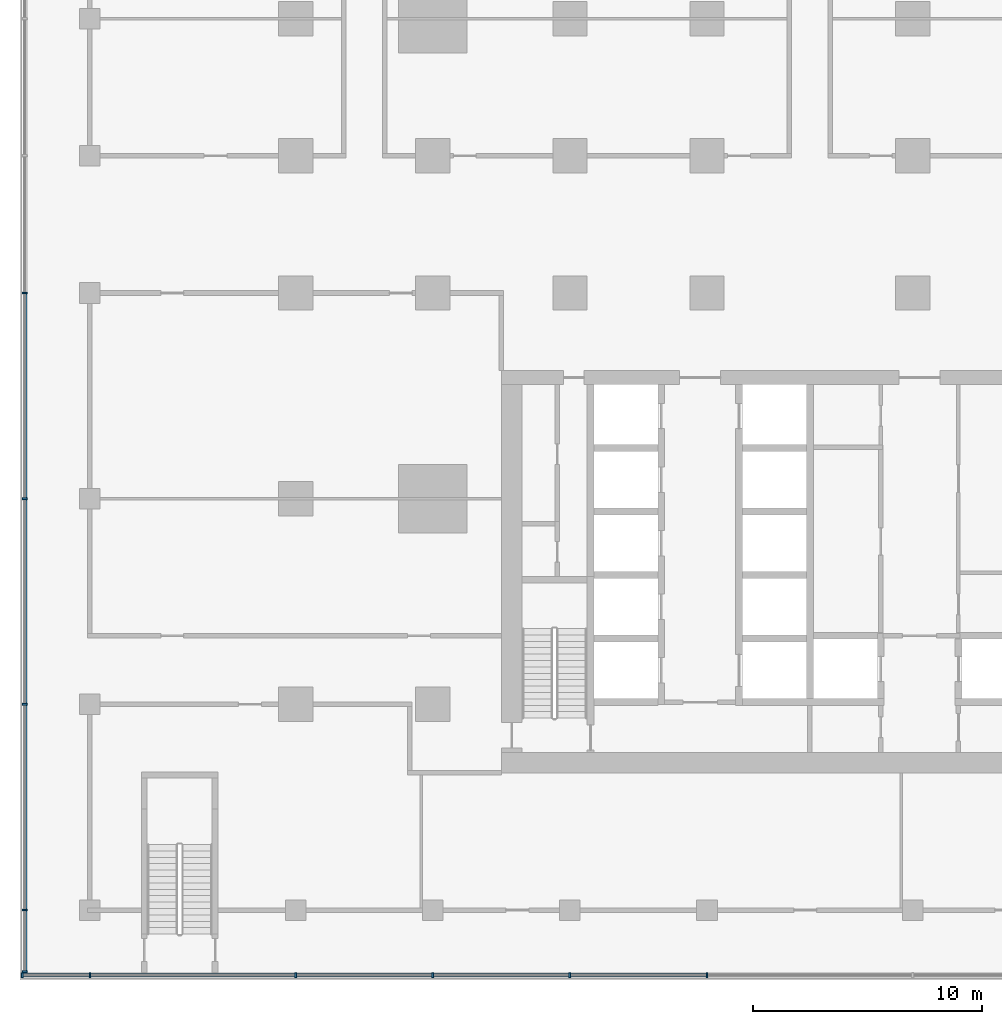
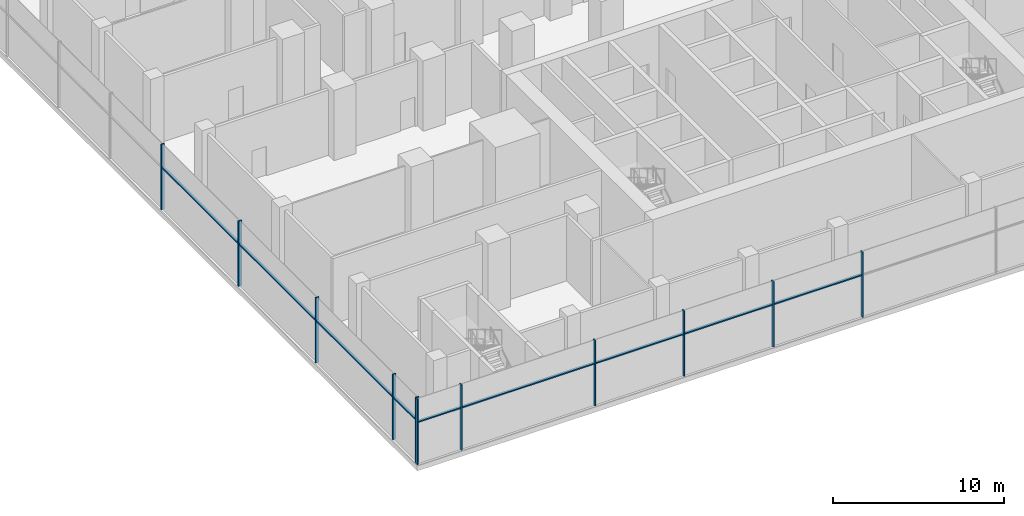
# One storey, part 2 of 22: 20 members, 2 elements without a shape of their own.
"""IFC4 building model written with IfcOpenShell, lengths in metres."""

from ifc_helpers import new_model, si_unit, direction, frame, origin, origin_2d, place, context, subcontext, project, spatial, rectangle, extrude, material, material_profile, profile_set, type_object, element, aggregate, save


model = new_model("IFC4")

# Units and contexts
model_context = context("Model", 3, precision=1e-05, world=origin(), true_north=direction((0.0, 1.0)))
body_context = subcontext(model_context, "Body", "Model", "MODEL_VIEW")
ifc_project = project(units=[si_unit("LENGTHUNIT", "METRE"), si_unit("AREAUNIT", "SQUARE_METRE"), si_unit("VOLUMEUNIT", "CUBIC_METRE"), si_unit("PLANEANGLEUNIT", "RADIAN"), si_unit("MASSUNIT", "GRAM", prefix="KILO")], contexts=[model_context])

# Site, building, storey
site_placement = place(None, origin())
site = spatial("IfcSite", under=ifc_project, at=site_placement, CompositionType="ELEMENT")
building_placement = place(site_placement, origin())
building = spatial("IfcBuilding", under=site, at=building_placement, Name="Finial Court Residences", CompositionType="ELEMENT")
storey_placement = place(building_placement, frame((0.0, 0.0, 18.5)))
storey = spatial("IfcBuildingStorey", under=building, at=storey_placement, Name="L03", CompositionType="ELEMENT", Elevation=18.5)

# Curtain wall, members
ifc_material = material(Name="Bronze anodised aluminium", Category="aluminium")
curtain_wall_type = type_object("IfcCurtainWallType", Name="Podium curtain wall", PredefinedType="NOTDEFINED", material=ifc_material)
curtain_wall_1_placement = place(storey_placement, origin())
curtain_wall_1 = element("IfcCurtainWall", 1, at=curtain_wall_1_placement, inside=storey, type_object=curtain_wall_type, Name="E-L03-CW-S3", PredefinedType="NOTDEFINED")
ifc_material_profile_1 = material_profile(ifc_material, rectangle(XDim=0.22509765625, YDim=0.080078125, at=origin_2d()), Name="CW5 mullion 80 x 225")
ifc_profile_set_1 = profile_set([ifc_material_profile_1], Name="Bronze anodised aluminium")
member_type_1 = type_object("IfcMemberType", Name="CW5 mullion 80 x 225", PredefinedType="MULLION", material=ifc_profile_set_1)
member_1_placement = place(storey_placement, frame((-34.4599609375, -34.35009765625, 0.0), z_axis=(0.0, 0.0, 1.0), x_axis=(0.0, 1.0, 0.0)))
member_1 = element("IfcMember", 2, at=member_1_placement, type_object=member_type_1, Name="CW5 mullion 1", PredefinedType="MULLION", context=body_context, shape_type="SweptSolid", body=[
    extrude(rectangle(XDim=0.22509765625, YDim=0.080078125, at=origin_2d()), origin(), (0.0, 0.0, 1.0), 4.64990234375),
])
member_2_placement = place(storey_placement, frame((-31.5, -34.35009765625, 0.0), z_axis=(0.0, 0.0, 1.0), x_axis=(0.0, 1.0, 0.0)))
member_2 = element("IfcMember", 3, at=member_2_placement, type_object=member_type_1, Name="CW5 mullion 2", PredefinedType="MULLION", context=body_context, shape_type="SweptSolid", body=[
    extrude(rectangle(XDim=0.22509765625, YDim=0.080078125, at=origin_2d()), origin(), (0.0, 0.0, 1.0), 4.64990234375),
])
member_3_placement = place(storey_placement, frame((-22.5, -34.35009765625, 0.0), z_axis=(0.0, 0.0, 1.0), x_axis=(0.0, 1.0, 0.0)))
member_3 = element("IfcMember", 4, at=member_3_placement, type_object=member_type_1, Name="CW5 mullion 3", PredefinedType="MULLION", context=body_context, shape_type="SweptSolid", body=[
    extrude(rectangle(XDim=0.22509765625, YDim=0.080078125, at=origin_2d()), origin(), (0.0, 0.0, 1.0), 4.64990234375),
])
member_4_placement = place(storey_placement, frame((-16.5, -34.35009765625, 0.0), z_axis=(0.0, 0.0, 1.0), x_axis=(0.0, 1.0, 0.0)))
member_4 = element("IfcMember", 5, at=member_4_placement, type_object=member_type_1, Name="CW5 mullion 4", PredefinedType="MULLION", context=body_context, shape_type="SweptSolid", body=[
    extrude(rectangle(XDim=0.22509765625, YDim=0.080078125, at=origin_2d()), origin(), (0.0, 0.0, 1.0), 4.64990234375),
])
member_5_placement = place(storey_placement, frame((-10.5, -34.35009765625, 0.0), z_axis=(0.0, 0.0, 1.0), x_axis=(0.0, 1.0, 0.0)))
member_5 = element("IfcMember", 6, at=member_5_placement, type_object=member_type_1, Name="CW5 mullion 5", PredefinedType="MULLION", context=body_context, shape_type="SweptSolid", body=[
    extrude(rectangle(XDim=0.22509765625, YDim=0.080078125, at=origin_2d()), origin(), (0.0, 0.0, 1.0), 4.64990234375),
])
member_6_placement = place(storey_placement, frame((-4.5, -34.35009765625, 0.0), z_axis=(0.0, 0.0, 1.0), x_axis=(0.0, 1.0, 0.0)))
member_6 = element("IfcMember", 7, at=member_6_placement, type_object=member_type_1, Name="CW5 mullion 6", PredefinedType="MULLION", context=body_context, shape_type="SweptSolid", body=[
    extrude(rectangle(XDim=0.22509765625, YDim=0.080078125, at=origin_2d()), origin(), (0.0, 0.0, 1.0), 4.64990234375),
])

curtain_wall_2_placement = place(storey_placement, origin())
curtain_wall_2 = element("IfcCurtainWall", 8, at=curtain_wall_2_placement, inside=storey, type_object=curtain_wall_type, Name="E-L03-CW-W4", PredefinedType="NOTDEFINED")
member_7_placement = place(storey_placement, frame((-34.35009765625, -34.197509765625, 0.0), z_axis=(0.0, 0.0, 1.0), x_axis=(-1.0, 0.0, 0.0)))
member_7 = element("IfcMember", 9, at=member_7_placement, type_object=member_type_1, Name="CW5 mullion 1", PredefinedType="MULLION", context=body_context, shape_type="SweptSolid", body=[
    extrude(rectangle(XDim=0.22509765625, YDim=0.080078125, at=origin_2d()), origin(), (0.0, 0.0, 1.0), 4.64990234375),
])
member_8_placement = place(storey_placement, frame((-34.35009765625, -31.5, 0.0), z_axis=(0.0, 0.0, 1.0), x_axis=(-1.0, 0.0, 0.0)))
member_8 = element("IfcMember", 10, at=member_8_placement, type_object=member_type_1, Name="CW5 mullion 2", PredefinedType="MULLION", context=body_context, shape_type="SweptSolid", body=[
    extrude(rectangle(XDim=0.22509765625, YDim=0.080078125, at=origin_2d()), origin(), (0.0, 0.0, 1.0), 4.64990234375),
])
member_9_placement = place(storey_placement, frame((-34.35009765625, -22.5, 0.0), z_axis=(0.0, 0.0, 1.0), x_axis=(-1.0, 0.0, 0.0)))
member_9 = element("IfcMember", 11, at=member_9_placement, type_object=member_type_1, Name="CW5 mullion 3", PredefinedType="MULLION", context=body_context, shape_type="SweptSolid", body=[
    extrude(rectangle(XDim=0.22509765625, YDim=0.080078125, at=origin_2d()), origin(), (0.0, 0.0, 1.0), 4.64990234375),
])
member_10_placement = place(storey_placement, frame((-34.35009765625, -13.5, 0.0), z_axis=(0.0, 0.0, 1.0), x_axis=(-1.0, 0.0, 0.0)))
member_10 = element("IfcMember", 12, at=member_10_placement, type_object=member_type_1, Name="CW5 mullion 4", PredefinedType="MULLION", context=body_context, shape_type="SweptSolid", body=[
    extrude(rectangle(XDim=0.22509765625, YDim=0.080078125, at=origin_2d()), origin(), (0.0, 0.0, 1.0), 4.64990234375),
])
member_11_placement = place(storey_placement, frame((-34.35009765625, -4.5, 0.0), z_axis=(0.0, 0.0, 1.0), x_axis=(-1.0, 0.0, 0.0)))
member_11 = element("IfcMember", 13, at=member_11_placement, type_object=member_type_1, Name="CW5 mullion 5", PredefinedType="MULLION", context=body_context, shape_type="SweptSolid", body=[
    extrude(rectangle(XDim=0.22509765625, YDim=0.080078125, at=origin_2d()), origin(), (0.0, 0.0, 1.0), 4.64990234375),
])

# Member
ifc_material_profile_2 = material_profile(ifc_material, rectangle(XDim=0.175048828125, YDim=0.080078125, at=origin_2d()), Name="CW5 transom 80 x 175")
ifc_profile_set_2 = profile_set([ifc_material_profile_2], Name="Bronze anodised aluminium")
member_type_2 = type_object("IfcMemberType", Name="CW5 transom 80 x 175", PredefinedType="USERDEFINED", material=ifc_profile_set_2)
member_12_placement = place(storey_placement, frame((-34.419921875, -34.35009765625, 3.0), z_axis=(1.0, 0.0, 0.0), x_axis=(0.0, 1.0, 0.0)))
member_12 = element("IfcMember", 14, at=member_12_placement, type_object=member_type_2, Name="CW5 transom 1.1", ObjectType="TRANSOM", PredefinedType="USERDEFINED", context=body_context, shape_type="SweptSolid", body=[
    extrude(rectangle(XDim=0.175048828125, YDim=0.080078125, at=origin_2d()), origin(), (0.0, 0.0, 1.0), 2.8798828125),
])

member_13_placement = place(storey_placement, frame((-31.4599609375, -34.35009765625, 3.0), z_axis=(1.0, 0.0, 0.0), x_axis=(0.0, 1.0, 0.0)))
member_13 = element("IfcMember", 15, at=member_13_placement, type_object=member_type_2, Name="CW5 transom 2.1", ObjectType="TRANSOM", PredefinedType="USERDEFINED", context=body_context, shape_type="SweptSolid", body=[
    extrude(rectangle(XDim=0.175048828125, YDim=0.080078125, at=origin_2d()), origin(), (0.0, 0.0, 1.0), 8.919921875),
])

member_14_placement = place(storey_placement, frame((-22.4599609375, -34.35009765625, 3.0), z_axis=(1.0, 0.0, 0.0), x_axis=(0.0, 1.0, 0.0)))
member_14 = element("IfcMember", 16, at=member_14_placement, type_object=member_type_2, Name="CW5 transom 3.1", ObjectType="TRANSOM", PredefinedType="USERDEFINED", context=body_context, shape_type="SweptSolid", body=[
    extrude(rectangle(XDim=0.175048828125, YDim=0.080078125, at=origin_2d()), origin(), (0.0, 0.0, 1.0), 5.919921875),
])

member_15_placement = place(storey_placement, frame((-16.4599609375, -34.35009765625, 3.0), z_axis=(1.0, 0.0, 0.0), x_axis=(0.0, 1.0, 0.0)))
member_15 = element("IfcMember", 17, at=member_15_placement, type_object=member_type_2, Name="CW5 transom 4.1", ObjectType="TRANSOM", PredefinedType="USERDEFINED", context=body_context, shape_type="SweptSolid", body=[
    extrude(rectangle(XDim=0.175048828125, YDim=0.080078125, at=origin_2d()), origin(), (0.0, 0.0, 1.0), 5.919921875),
])

member_16_placement = place(storey_placement, frame((-10.4599609375, -34.35009765625, 3.0), z_axis=(1.0, 0.0, 0.0), x_axis=(0.0, 1.0, 0.0)))
member_16 = element("IfcMember", 18, at=member_16_placement, type_object=member_type_2, Name="CW5 transom 5.1", ObjectType="TRANSOM", PredefinedType="USERDEFINED", context=body_context, shape_type="SweptSolid", body=[
    extrude(rectangle(XDim=0.175048828125, YDim=0.080078125, at=origin_2d()), origin(), (0.0, 0.0, 1.0), 5.919921875),
])

aggregate(curtain_wall_1, [member_1, member_2, member_3, member_4, member_5, member_6, member_12, member_13, member_14, member_15, member_16])

member_17_placement = place(storey_placement, frame((-34.35009765625, -34.157470703125, 3.0), z_axis=(0.0, 1.0, 0.0), x_axis=(-1.0, 0.0, 0.0)))
member_17 = element("IfcMember", 19, at=member_17_placement, type_object=member_type_2, Name="CW5 transom 1.1", ObjectType="TRANSOM", PredefinedType="USERDEFINED", context=body_context, shape_type="SweptSolid", body=[
    extrude(rectangle(XDim=0.175048828125, YDim=0.080078125, at=origin_2d()), origin(), (0.0, 0.0, 1.0), 2.617431640625),
])

member_18_placement = place(storey_placement, frame((-34.35009765625, -31.4599609375, 3.0), z_axis=(0.0, 1.0, 0.0), x_axis=(-1.0, 0.0, 0.0)))
member_18 = element("IfcMember", 20, at=member_18_placement, type_object=member_type_2, Name="CW5 transom 2.1", ObjectType="TRANSOM", PredefinedType="USERDEFINED", context=body_context, shape_type="SweptSolid", body=[
    extrude(rectangle(XDim=0.175048828125, YDim=0.080078125, at=origin_2d()), origin(), (0.0, 0.0, 1.0), 8.919921875),
])

member_19_placement = place(storey_placement, frame((-34.35009765625, -22.4599609375, 3.0), z_axis=(0.0, 1.0, 0.0), x_axis=(-1.0, 0.0, 0.0)))
member_19 = element("IfcMember", 21, at=member_19_placement, type_object=member_type_2, Name="CW5 transom 3.1", ObjectType="TRANSOM", PredefinedType="USERDEFINED", context=body_context, shape_type="SweptSolid", body=[
    extrude(rectangle(XDim=0.175048828125, YDim=0.080078125, at=origin_2d()), origin(), (0.0, 0.0, 1.0), 8.919921875),
])

member_20_placement = place(storey_placement, frame((-34.35009765625, -13.4599609375, 3.0), z_axis=(0.0, 1.0, 0.0), x_axis=(-1.0, 0.0, 0.0)))
member_20 = element("IfcMember", 22, at=member_20_placement, type_object=member_type_2, Name="CW5 transom 4.1", ObjectType="TRANSOM", PredefinedType="USERDEFINED", context=body_context, shape_type="SweptSolid", body=[
    extrude(rectangle(XDim=0.175048828125, YDim=0.080078125, at=origin_2d()), origin(), (0.0, 0.0, 1.0), 8.919921875),
])

aggregate(curtain_wall_2, [member_7, member_8, member_9, member_10, member_11, member_17, member_18, member_19, member_20])

save(model, "model.ifc")
